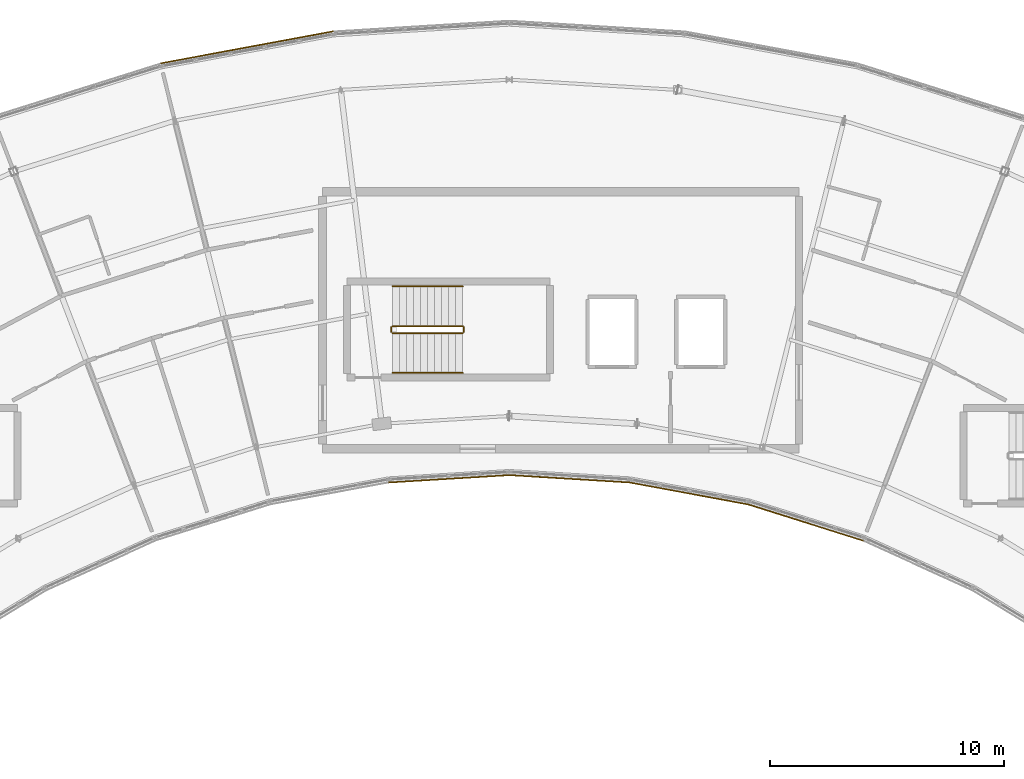
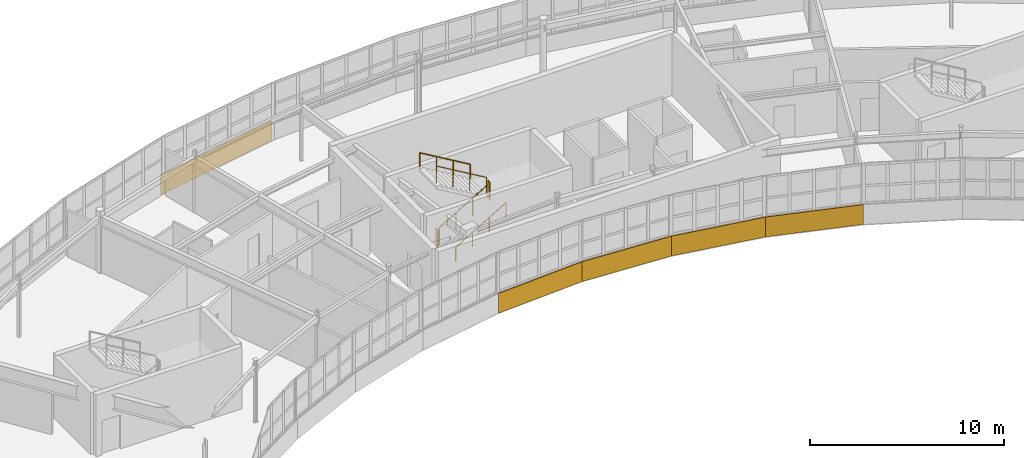
# One storey, part 63 of 65: 6 railings, 5 coverings.
"""IFC4 building model written with IfcOpenShell, lengths in metres."""

from ifc_helpers import new_model, si_unit, direction, frame, origin, origin_2d, place, context, subcontext, project, spatial, rectangle, circle, extrude, material, layer, layer_set, type_object, element, save


model = new_model("IFC4")

# Units and contexts
model_context = context("Model", 3, precision=1e-05, world=origin(), true_north=direction((0.0, 1.0)))
body_context = subcontext(model_context, "Body", "Model", "MODEL_VIEW")
ifc_project = project(units=[si_unit("LENGTHUNIT", "METRE"), si_unit("AREAUNIT", "SQUARE_METRE"), si_unit("VOLUMEUNIT", "CUBIC_METRE"), si_unit("PLANEANGLEUNIT", "RADIAN"), si_unit("MASSUNIT", "GRAM", prefix="KILO")], contexts=[model_context])

# Site, building, storey
site_placement = place(None, origin())
site = spatial("IfcSite", under=ifc_project, at=site_placement, CompositionType="ELEMENT")
building_placement = place(site_placement, origin())
building = spatial("IfcBuilding", under=site, at=building_placement, Name="Tarnwether General Hospital", CompositionType="ELEMENT")
storey_placement = place(building_placement, frame((0.0, 0.0, 22.199951171875)))
storey = spatial("IfcBuildingStorey", under=building, at=storey_placement, Name="L05", CompositionType="ELEMENT", Elevation=22.199951171875)

# Coverings
ifc_material_1 = material(Name="Streamlined white enamelled aluminium", Category="aluminium")
ifc_layer = layer(ifc_material_1, 0.044921875)
ifc_layer_set = layer_set([ifc_layer], Name="Streamlined white enamelled aluminium")
covering_type = type_object("IfcCoveringType", Name="CV-CLD-WHT", PredefinedType="CLADDING", material=ifc_layer_set)
for number, where, z_axis, x_axis, name in (
    (1, (89.425048828125, 105.110107421875, -0.175048828125), (0.0, 0.0, 1.0), (-0.998134798422, -0.061048539535, 0.0), "Streamlined White Horizontal Band NW L05 10"),
    (2, (94.574951171875, 105.110107421875, -0.175048828125), (0.0, 0.0, 1.0), (-0.998134798422, 0.061048539535, 0.0), "Streamlined White Horizontal Band NW L05 11"),
    (3, (99.68798828125, 104.48291015625, -0.175048828125), (0.0, 0.0, 1.0), (-0.983267627608, 0.182166880906, 0.0), "Streamlined White Horizontal Band NW L05 12"),
):
    element("IfcCovering", number, at=place(storey_placement, frame(where, z_axis=z_axis, x_axis=x_axis)), inside=storey, type_object=covering_type, Name=name, PredefinedType="CLADDING", context=body_context, shape_type="SweptSolid", body=[
        extrude(rectangle(XDim=5.177001953125, YDim=0.044921875, at=origin_2d()), origin(), (0.0, 0.0, 1.0), 1.25),
    ])
covering_1_placement = place(storey_placement, frame((104.68603515625, 103.237060546875, -0.175048828125), z_axis=(0.0, 0.0, 1.0), x_axis=(-0.953711702297, 0.300722444959, 0.0)))
element("IfcCovering", 4, at=covering_1_placement, inside=storey, type_object=covering_type, Name="Streamlined White Horizontal Band NW L05 13", PredefinedType="CLADDING", context=body_context, shape_type="SweptSolid", body=[
    extrude(rectangle(XDim=5.177978515625, YDim=0.044921875, at=origin_2d()), origin(), (0.0, 0.0, 1.0), 1.25),
])
covering_2_placement = place(storey_placement, frame((80.77099609375, 123.5849609375, -0.175048828125), z_axis=(0.0, 0.0, 1.0), x_axis=(0.983245364386, 0.182287008349, 0.0)))
element("IfcCovering", 5, at=covering_2_placement, inside=storey, type_object=covering_type, Name="Streamlined White Horizontal Band NW L05 28", PredefinedType="CLADDING", context=body_context, shape_type="SweptSolid", body=[
    extrude(rectangle(XDim=7.52099609375, YDim=0.044921875, at=origin_2d()), origin(), (0.0, 0.0, 1.0), 1.25),
])

# Railings
ifc_material_2 = material(Name="Anodised aluminium", Category="aluminium")
railing_type_1 = type_object("IfcRailingType", Name="RL-GRD-INT", PredefinedType="GUARDRAIL", material=ifc_material_2)
railing_1_placement = place(storey_placement, frame((87.0, 111.35009765625, 0.17724609375)))
element("IfcRailing", 6, at=railing_1_placement, inside=storey, type_object=railing_type_1, Name="L05 ST-01 stair guard 1", PredefinedType="GUARDRAIL", context=body_context, shape_type="SweptSolid", body=[
    extrude(circle(Radius=0.02392578125, at=origin_2d()), frame((0.0, 0.0, 1.076171875), z_axis=(0.86092931783, 0.0, 0.508724591208), x_axis=(0.0, 1.0, 0.0)), (0.0, 0.0, 1.0), 3.484619140625),
    extrude(circle(Radius=0.02099609375, at=origin_2d()), origin(), (0.0, 0.0, 1.0), 1.052001953125),
    extrude(circle(Radius=0.02099609375, at=origin_2d()), frame((1.0, 0.0, 0.5908203125)), (0.0, 0.0, 1.0), 1.052001953125),
    extrude(circle(Radius=0.02099609375, at=origin_2d()), frame((2.0, 0.0, 1.181884765625)), (0.0, 0.0, 1.0), 1.052001953125),
    extrude(circle(Radius=0.02099609375, at=origin_2d()), frame((3.0, 0.0, 1.772705078125)), (0.0, 0.0, 1.0), 1.052001953125),
])
railing_2_placement = place(storey_placement, frame((90.050048828125, 111.39990234375, 1.949951171875)))
element("IfcRailing", 7, at=railing_2_placement, inside=storey, type_object=railing_type_1, Name="L05 ST-01 stair guard 2", PredefinedType="GUARDRAIL", context=body_context, shape_type="SweptSolid", body=[
    extrude(circle(Radius=0.02392578125, at=origin_2d()), frame((0.0, 0.0, 1.076171875), z_axis=(0.0, 1.0, 0.0), x_axis=(-1.0, 0.0, 0.0)), (0.0, 0.0, 1.0), 0.2001953125),
    extrude(circle(Radius=0.02099609375, at=origin_2d()), origin(), (0.0, 0.0, 1.0), 1.052001953125),
    extrude(circle(Radius=0.02099609375, at=origin_2d()), frame((0.0, 0.2001953125, 0.0)), (0.0, 0.0, 1.0), 1.052001953125),
])
railing_3_placement = place(storey_placement, frame((90.0, 111.64990234375, 2.12744140625)))
element("IfcRailing", 8, at=railing_3_placement, inside=storey, type_object=railing_type_1, Name="L05 ST-01 stair guard 3", PredefinedType="GUARDRAIL", context=body_context, shape_type="SweptSolid", body=[
    extrude(circle(Radius=0.02392578125, at=origin_2d()), frame((0.0, 0.0, 1.076171875), z_axis=(-0.86092931783, 0.0, 0.508724591208), x_axis=(0.0, -1.0, 0.0)), (0.0, 0.0, 1.0), 3.484619140625),
    extrude(circle(Radius=0.02099609375, at=origin_2d()), origin(), (0.0, 0.0, 1.0), 1.052001953125),
    extrude(circle(Radius=0.02099609375, at=origin_2d()), frame((-1.0, 0.0, 0.5908203125)), (0.0, 0.0, 1.0), 1.052001953125),
    extrude(circle(Radius=0.02099609375, at=origin_2d()), frame((-2.0, 0.0, 1.181884765625)), (0.0, 0.0, 1.0), 1.052001953125),
    extrude(circle(Radius=0.02099609375, at=origin_2d()), frame((-3.0, 0.0, 1.772705078125)), (0.0, 0.0, 1.0), 1.052001953125),
])
railing_4_placement = place(storey_placement, frame((86.949951171875, 111.39990234375, 0.0)))
element("IfcRailing", 9, at=railing_4_placement, inside=storey, type_object=railing_type_1, Name="L05 ST-01 stair guard 4", PredefinedType="GUARDRAIL", context=body_context, shape_type="SweptSolid", body=[
    extrude(circle(Radius=0.02392578125, at=origin_2d()), frame((0.0, 0.0, 1.076171875), z_axis=(0.0, 1.0, 0.0), x_axis=(-1.0, 0.0, 0.0)), (0.0, 0.0, 1.0), 0.2001953125),
    extrude(circle(Radius=0.02099609375, at=origin_2d()), origin(), (0.0, 0.0, 1.0), 1.052001953125),
    extrude(circle(Radius=0.02099609375, at=origin_2d()), frame((0.0, 0.2001953125, 0.0)), (0.0, 0.0, 1.0), 1.052001953125),
])
ifc_material_3 = material(Name="Anodised aluminium", Category="aluminium")
railing_type_2 = type_object("IfcRailingType", Name="RL-HND-INT", PredefinedType="HANDRAIL", material=ifc_material_3)
railing_5_placement = place(storey_placement, frame((87.0, 109.64990234375, 0.17724609375)))
element("IfcRailing", 10, at=railing_5_placement, inside=storey, type_object=railing_type_2, Name="L05 ST-01 stair handrail 1", PredefinedType="HANDRAIL", context=body_context, shape_type="SweptSolid", body=[
    extrude(circle(Radius=0.02392578125, at=origin_2d()), frame((0.0, 0.0, 0.8759765625), z_axis=(0.86092931783, 0.0, 0.508724591208), x_axis=(0.0, 1.0, 0.0)), (0.0, 0.0, 1.0), 3.484619140625),
    extrude(circle(Radius=0.02099609375, at=origin_2d()), origin(), (0.0, 0.0, 1.0), 0.851806640625),
    extrude(circle(Radius=0.02099609375, at=origin_2d()), frame((1.0, 0.0, 0.5908203125)), (0.0, 0.0, 1.0), 0.851806640625),
    extrude(circle(Radius=0.02099609375, at=origin_2d()), frame((2.0, 0.0, 1.181884765625)), (0.0, 0.0, 1.0), 0.851806640625),
    extrude(circle(Radius=0.02099609375, at=origin_2d()), frame((3.0, 0.0, 1.772705078125)), (0.0, 0.0, 1.0), 0.851806640625),
])
railing_6_placement = place(storey_placement, frame((90.0, 113.35009765625, 2.12744140625)))
element("IfcRailing", 11, at=railing_6_placement, inside=storey, type_object=railing_type_2, Name="L05 ST-01 stair handrail 2", PredefinedType="HANDRAIL", context=body_context, shape_type="SweptSolid", body=[
    extrude(circle(Radius=0.02392578125, at=origin_2d()), frame((0.0, 0.0, 0.8759765625), z_axis=(-0.86092931783, 0.0, 0.508724591208), x_axis=(0.0, -1.0, 0.0)), (0.0, 0.0, 1.0), 3.484619140625),
    extrude(circle(Radius=0.02099609375, at=origin_2d()), origin(), (0.0, 0.0, 1.0), 0.851806640625),
    extrude(circle(Radius=0.02099609375, at=origin_2d()), frame((-1.0, 0.0, 0.5908203125)), (0.0, 0.0, 1.0), 0.851806640625),
    extrude(circle(Radius=0.02099609375, at=origin_2d()), frame((-2.0, 0.0, 1.181884765625)), (0.0, 0.0, 1.0), 0.851806640625),
    extrude(circle(Radius=0.02099609375, at=origin_2d()), frame((-3.0, 0.0, 1.772705078125)), (0.0, 0.0, 1.0), 0.851806640625),
])

save(model, "model.ifc")
